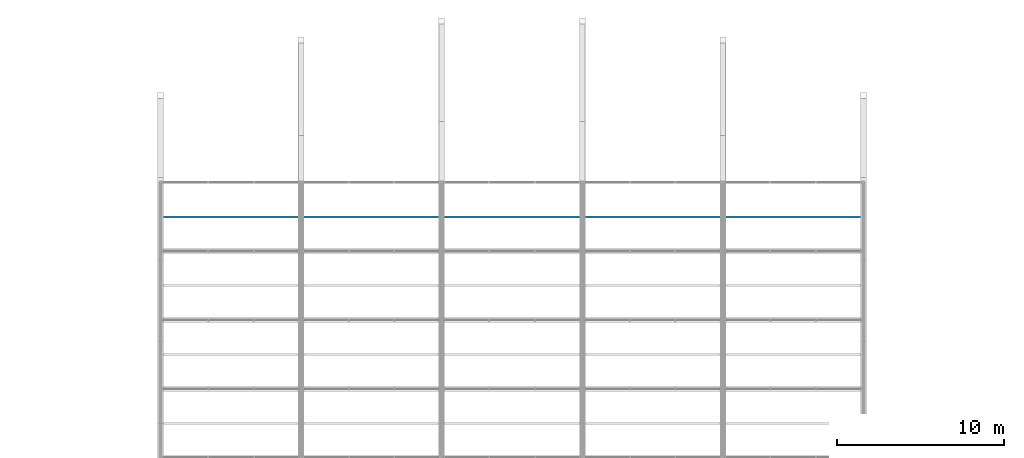
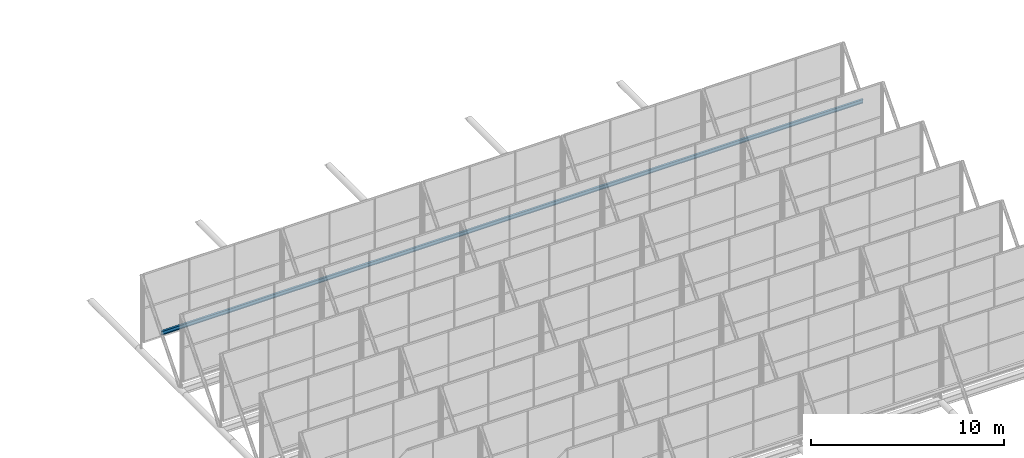
# One storey, part 38 of 77: 1 beam.
"""IFC4 building model written with IfcOpenShell, lengths in metres."""

from ifc_helpers import new_model, si_unit, derived_unit, direction, frame, origin, origin_2d, place, context, subcontext, project, spatial, i_section, extrude, material, material_profile, profile_set, type_object, element, save


model = new_model("IFC4")

# Units and contexts
model_context = context("Model", 3, precision=1e-05, world=origin(), true_north=direction((0.0, 1.0)))
body_context = subcontext(model_context, "Body", "Model", "MODEL_VIEW")
ifc_project = project(units=[si_unit("LENGTHUNIT", "METRE"), si_unit("AREAUNIT", "SQUARE_METRE"), si_unit("VOLUMEUNIT", "CUBIC_METRE"), si_unit("PLANEANGLEUNIT", "RADIAN"), si_unit("MASSUNIT", "GRAM", prefix="KILO"), derived_unit("THERMALTRANSMITTANCEUNIT", [(si_unit("MASSUNIT", "GRAM", prefix="KILO"), 1), (si_unit("TIMEUNIT", "SECOND"), -3), (si_unit("THERMODYNAMICTEMPERATUREUNIT", "KELVIN"), -1)])], contexts=[model_context])

# Site, building, storey
site_placement = place(None, origin())
site = spatial("IfcSite", under=ifc_project, at=site_placement, CompositionType="ELEMENT")
building_placement = place(site_placement, origin())
building = spatial("IfcBuilding", under=site, at=building_placement, Name="Kharveza Railside Sports Centre", CompositionType="ELEMENT")
storey_placement = place(building_placement, frame((0.0, 0.0, 17.10009765625)))
storey = spatial("IfcBuildingStorey", under=building, at=storey_placement, Name="L04", CompositionType="ELEMENT", Elevation=17.10009765625)

# Beam
ifc_material = material(Name="Steel S275JR", Category="steel")
ifc_material_profile = material_profile(ifc_material, i_section(OverallWidth=0.1201171875, OverallDepth=0.239990234375, WebThickness=0.006103515625, FlangeThickness=0.009765625, FilletRadius=0.014892578125, at=origin_2d()), Name="IPE 240")
ifc_profile_set = profile_set([ifc_material_profile], Name="Steel S275JR")
beam_type = type_object("IfcBeamType", Name="BM-J01", PredefinedType="JOIST", material=ifc_profile_set)
beam_placement = place(storey_placement, frame((33.60009765625, 62.742919921875, 1.31982421875), z_axis=(1.0, 0.0, 0.0), x_axis=(0.0, 1.0, 0.0)))
element("IfcBeam", 1, at=beam_placement, inside=storey, type_object=beam_type, Name="BM-V1SAW-PUR-7", PredefinedType="JOIST", context=body_context, shape_type="SweptSolid", body=[
    extrude(i_section(OverallWidth=0.1201171875, OverallDepth=0.239990234375, WebThickness=0.006103515625, FlangeThickness=0.009765625, FilletRadius=0.014892578125, at=origin_2d()), origin(), (0.0, 0.0, 1.0), 42.0),
])

save(model, "model.ifc")
